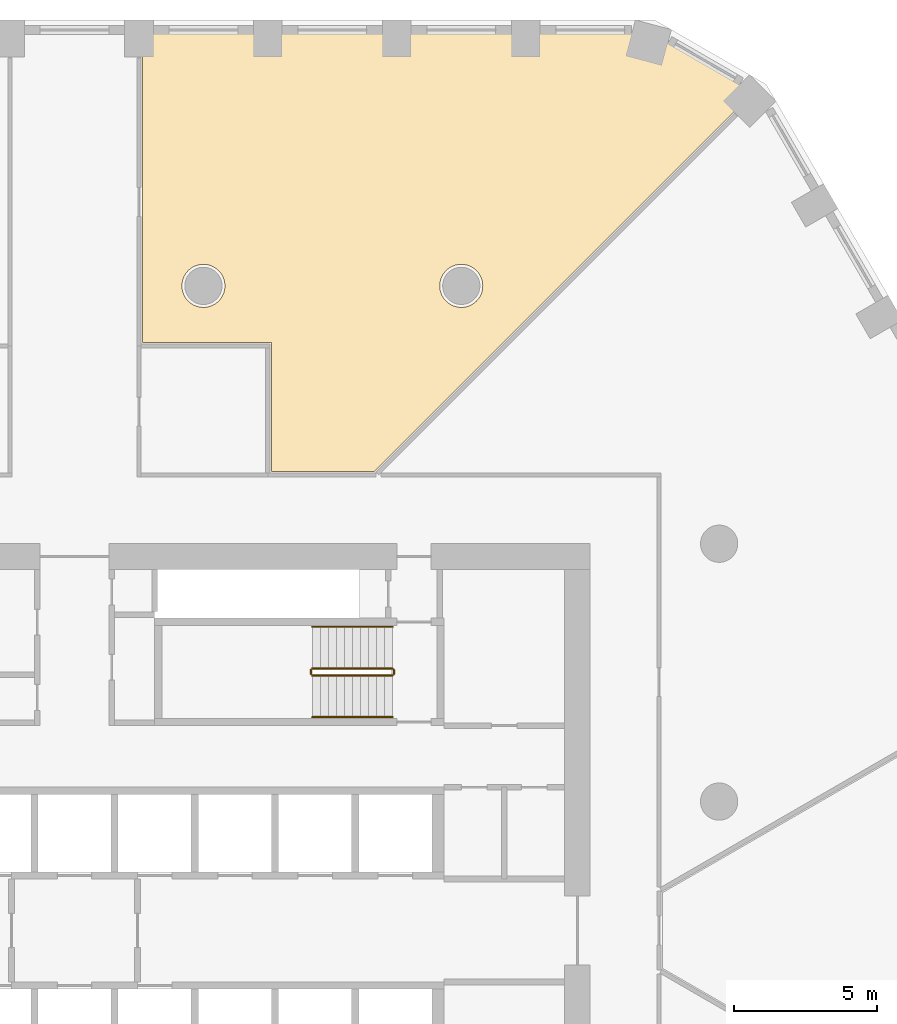
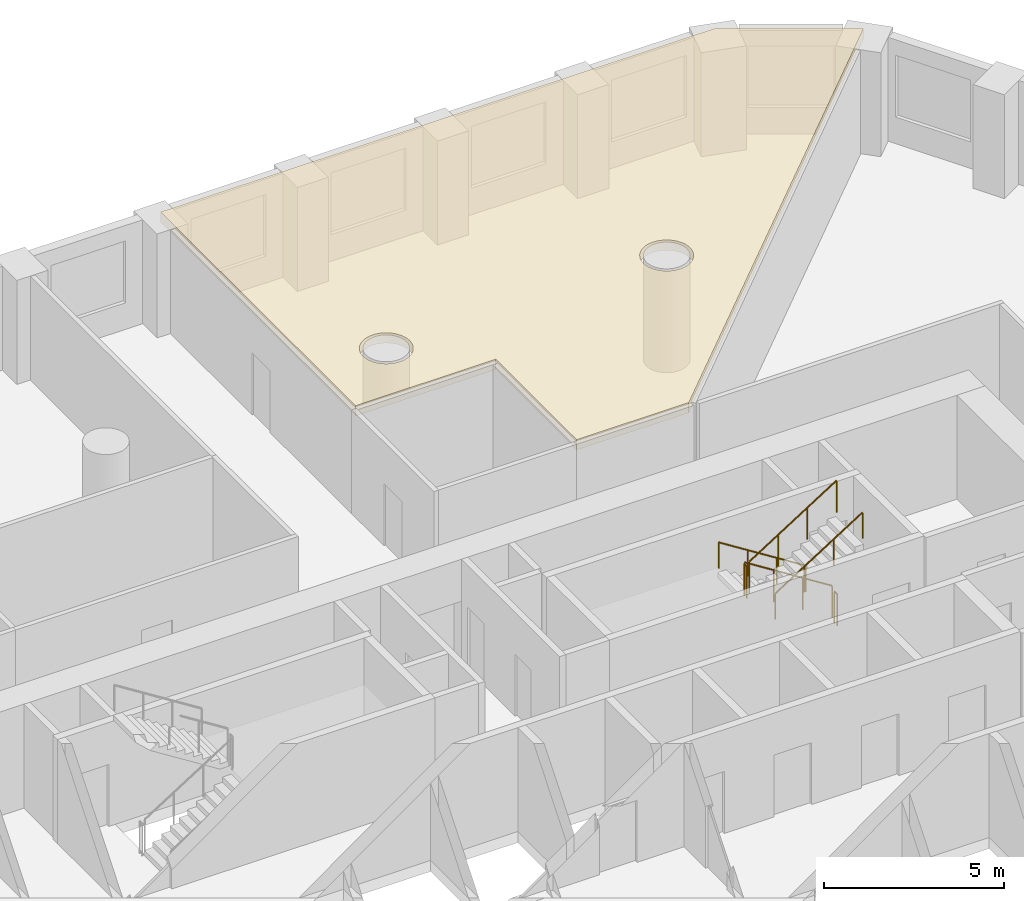
# One storey, part 13 of 14: 6 railings, 1 covering.
"""IFC4 building model written with IfcOpenShell, lengths in metres."""

from ifc_helpers import new_model, si_unit, direction, frame, origin, origin_2d, place, context, subcontext, project, spatial, polyline, circle, outline, extrude, material, layer, layer_set, type_object, element, save


model = new_model("IFC4")

# Units and contexts
model_context = context("Model", 3, precision=1e-05, world=origin(), true_north=direction((0.0, 1.0)))
body_context = subcontext(model_context, "Body", "Model", "MODEL_VIEW")
ifc_project = project(units=[si_unit("LENGTHUNIT", "METRE"), si_unit("AREAUNIT", "SQUARE_METRE"), si_unit("VOLUMEUNIT", "CUBIC_METRE"), si_unit("PLANEANGLEUNIT", "RADIAN"), si_unit("MASSUNIT", "GRAM", prefix="KILO")], contexts=[model_context])

# Site, building, storey
site_placement = place(None, origin())
site = spatial("IfcSite", under=ifc_project, at=site_placement, CompositionType="ELEMENT")
building_placement = place(site_placement, origin())
building = spatial("IfcBuilding", under=site, at=building_placement, Name="Dhurran Vertical Campus", CompositionType="ELEMENT")
storey_placement = place(building_placement, frame((0.0, 0.0, 93.0)))
storey = spatial("IfcBuildingStorey", under=building, at=storey_placement, Name="L22", CompositionType="ELEMENT", Elevation=93.0)

# Railings
ifc_material_1 = material(Name="Stainless steel balustrade", Category="steel")
railing_type_1 = type_object("IfcRailingType", Name="co-RL-GUARD-1100", PredefinedType="GUARDRAIL", material=ifc_material_1)
railing_1_placement = place(storey_placement, frame((11.10009765625, 9.14990234375, 0.17724609375)))
element("IfcRailing", 1, at=railing_1_placement, inside=storey, type_object=railing_type_1, Name="L22 ST2 stair guard 1", PredefinedType="GUARDRAIL", context=body_context, shape_type="SweptSolid", body=[
    extrude(circle(Radius=0.02392578125, at=origin_2d()), frame((0.0, 0.0, 1.076171875), z_axis=(-0.844908973607, 0.0, 0.534910110503), x_axis=(0.0, -1.0, 0.0)), (0.0, 0.0, 1.0), 3.31396484375),
    extrude(circle(Radius=0.02099609375, at=origin_2d()), origin(), (0.0, 0.0, 1.0), 1.052001953125),
    extrude(circle(Radius=0.02099609375, at=origin_2d()), frame((-0.933349609375, 0.0, 0.5908203125)), (0.0, 0.0, 1.0), 1.052001953125),
    extrude(circle(Radius=0.02099609375, at=origin_2d()), frame((-1.86669921875, 0.0, 1.181884765625)), (0.0, 0.0, 1.0), 1.052001953125),
    extrude(circle(Radius=0.02099609375, at=origin_2d()), frame((-2.800048828125, 0.0, 1.772705078125)), (0.0, 0.0, 1.0), 1.052001953125),
])
railing_2_placement = place(storey_placement, frame((8.25, 9.10009765625, 1.949951171875)))
element("IfcRailing", 2, at=railing_2_placement, inside=storey, type_object=railing_type_1, Name="L22 ST2 stair guard 2", PredefinedType="GUARDRAIL", context=body_context, shape_type="SweptSolid", body=[
    extrude(circle(Radius=0.02392578125, at=origin_2d()), frame((0.0, 0.0, 1.076171875), z_axis=(0.0, -1.0, 0.0), x_axis=(1.0, 0.0, 0.0)), (0.0, 0.0, 1.0), 0.150146484375),
    extrude(circle(Radius=0.02099609375, at=origin_2d()), origin(), (0.0, 0.0, 1.0), 1.052001953125),
    extrude(circle(Radius=0.02099609375, at=origin_2d()), frame((0.0, -0.150146484375, 0.0)), (0.0, 0.0, 1.0), 1.052001953125),
])
railing_3_placement = place(storey_placement, frame((8.300048828125, 8.89990234375, 2.127197265625)))
element("IfcRailing", 3, at=railing_3_placement, inside=storey, type_object=railing_type_1, Name="L22 ST2 stair guard 3", PredefinedType="GUARDRAIL", context=body_context, shape_type="SweptSolid", body=[
    extrude(circle(Radius=0.02392578125, at=origin_2d()), frame((0.0, 0.0, 1.076171875), z_axis=(0.844908973607, 0.0, 0.534910110503), x_axis=(0.0, 1.0, 0.0)), (0.0, 0.0, 1.0), 3.31396484375),
    extrude(circle(Radius=0.02099609375, at=origin_2d()), origin(), (0.0, 0.0, 1.0), 1.052001953125),
    extrude(circle(Radius=0.02099609375, at=origin_2d()), frame((0.933349609375, 0.0, 0.5908203125)), (0.0, 0.0, 1.0), 1.052001953125),
    extrude(circle(Radius=0.02099609375, at=origin_2d()), frame((1.86669921875, 0.0, 1.181884765625)), (0.0, 0.0, 1.0), 1.052001953125),
    extrude(circle(Radius=0.02099609375, at=origin_2d()), frame((2.800048828125, 0.0, 1.772705078125)), (0.0, 0.0, 1.0), 1.052001953125),
])
railing_4_placement = place(storey_placement, frame((11.14990234375, 9.10009765625, 0.0)))
element("IfcRailing", 4, at=railing_4_placement, inside=storey, type_object=railing_type_1, Name="L22 ST2 stair guard 4", PredefinedType="GUARDRAIL", context=body_context, shape_type="SweptSolid", body=[
    extrude(circle(Radius=0.02392578125, at=origin_2d()), frame((0.0, 0.0, 1.076171875), z_axis=(0.0, -1.0, 0.0), x_axis=(1.0, 0.0, 0.0)), (0.0, 0.0, 1.0), 0.150146484375),
    extrude(circle(Radius=0.02099609375, at=origin_2d()), origin(), (0.0, 0.0, 1.0), 1.052001953125),
    extrude(circle(Radius=0.02099609375, at=origin_2d()), frame((0.0, -0.150146484375, 0.0)), (0.0, 0.0, 1.0), 1.052001953125),
])
ifc_material_2 = material(Name="Stainless steel handrail", Category="steel")
railing_type_2 = type_object("IfcRailingType", Name="co-RL-HANDRAIL-900", PredefinedType="HANDRAIL", material=ifc_material_2)
railing_5_placement = place(storey_placement, frame((11.10009765625, 10.60009765625, 0.17724609375)))
element("IfcRailing", 5, at=railing_5_placement, inside=storey, type_object=railing_type_2, Name="L22 ST2 stair handrail 1", PredefinedType="HANDRAIL", context=body_context, shape_type="SweptSolid", body=[
    extrude(circle(Radius=0.02392578125, at=origin_2d()), frame((0.0, 0.0, 0.8759765625), z_axis=(-0.844908973607, 0.0, 0.534910110503), x_axis=(0.0, -1.0, 0.0)), (0.0, 0.0, 1.0), 3.31396484375),
    extrude(circle(Radius=0.02099609375, at=origin_2d()), origin(), (0.0, 0.0, 1.0), 0.851806640625),
    extrude(circle(Radius=0.02099609375, at=origin_2d()), frame((-0.933349609375, 0.0, 0.5908203125)), (0.0, 0.0, 1.0), 0.851806640625),
    extrude(circle(Radius=0.02099609375, at=origin_2d()), frame((-1.86669921875, 0.0, 1.181884765625)), (0.0, 0.0, 1.0), 0.851806640625),
    extrude(circle(Radius=0.02099609375, at=origin_2d()), frame((-2.800048828125, 0.0, 1.772705078125)), (0.0, 0.0, 1.0), 0.851806640625),
])
railing_6_placement = place(storey_placement, frame((8.300048828125, 7.449951171875, 2.127197265625)))
element("IfcRailing", 6, at=railing_6_placement, inside=storey, type_object=railing_type_2, Name="L22 ST2 stair handrail 2", PredefinedType="HANDRAIL", context=body_context, shape_type="SweptSolid", body=[
    extrude(circle(Radius=0.02392578125, at=origin_2d()), frame((0.0, 0.0, 0.8759765625), z_axis=(0.844908973607, 0.0, 0.534910110503), x_axis=(0.0, 1.0, 0.0)), (0.0, 0.0, 1.0), 3.31396484375),
    extrude(circle(Radius=0.02099609375, at=origin_2d()), origin(), (0.0, 0.0, 1.0), 0.851806640625),
    extrude(circle(Radius=0.02099609375, at=origin_2d()), frame((0.933349609375, 0.0, 0.5908203125)), (0.0, 0.0, 1.0), 0.851806640625),
    extrude(circle(Radius=0.02099609375, at=origin_2d()), frame((1.86669921875, 0.0, 1.181884765625)), (0.0, 0.0, 1.0), 0.851806640625),
    extrude(circle(Radius=0.02099609375, at=origin_2d()), frame((2.800048828125, 0.0, 1.772705078125)), (0.0, 0.0, 1.0), 0.851806640625),
])

# Covering
ifc_material_3 = material(Name="Mineral fibre ceiling tiles on suspended grid")
ifc_layer = layer(ifc_material_3, 0.35009765625)
ifc_layer_set = layer_set([ifc_layer], Name="Mineral fibre ceiling tiles on suspended grid")
covering_type = type_object("IfcCoveringType", Name="fl-CE-350 suspended ceiling", PredefinedType="CEILING", material=ifc_layer_set)
covering_placement = place(storey_placement, frame((0.0, 0.0, 3.175048828125)))
element("IfcCovering", 7, at=covering_placement, inside=storey, type_object=covering_type, Name="Ceiling 22-15", PredefinedType="CEILING", context=body_context, shape_type="SweptSolid", body=[
    extrude(outline(polyline([(10.467041015625, 16.02001953125), (6.8701171875, 16.02001953125), (6.8701171875, 20.52001953125), (2.3701171875, 20.52001953125), (2.3701171875, 31.360107421875), (20.137939453125, 31.360107421875), (23.73193359375, 29.283935546875), (10.467041015625, 16.02001953125)]), holes=[polyline([(5.080078125, 22.97607421875), (5.030029296875, 23.030029296875), (4.97607421875, 23.080078125), (4.9169921875, 23.1240234375), (4.85400390625, 23.160888671875), (4.787109375, 23.193115234375), (4.718017578125, 23.218017578125), (4.64599609375, 23.236083984375), (4.573974609375, 23.24609375), (4.5, 23.25), (4.426025390625, 23.24609375), (4.35400390625, 23.236083984375), (4.281982421875, 23.218017578125), (4.212890625, 23.193115234375), (4.14599609375, 23.160888671875), (4.0830078125, 23.1240234375), (4.02392578125, 23.080078125), (3.969970703125, 23.030029296875), (3.919921875, 22.97607421875), (3.8759765625, 22.9169921875), (3.839111328125, 22.85400390625), (3.806884765625, 22.787109375), (3.781982421875, 22.718017578125), (3.763916015625, 22.64599609375), (3.75390625, 22.573974609375), (3.75, 22.5), (3.75390625, 22.426025390625), (3.763916015625, 22.35400390625), (3.781982421875, 22.281982421875), (3.806884765625, 22.212890625), (3.839111328125, 22.14599609375), (3.8759765625, 22.0830078125), (3.919921875, 22.02392578125), (3.969970703125, 21.969970703125), (4.02392578125, 21.919921875), (4.0830078125, 21.8759765625), (4.14599609375, 21.839111328125), (4.212890625, 21.806884765625), (4.281982421875, 21.781982421875), (4.35400390625, 21.763916015625), (4.426025390625, 21.75390625), (4.5, 21.75), (4.573974609375, 21.75390625), (4.64599609375, 21.763916015625), (4.718017578125, 21.781982421875), (4.787109375, 21.806884765625), (4.85400390625, 21.839111328125), (4.9169921875, 21.8759765625), (4.97607421875, 21.919921875), (5.030029296875, 21.969970703125), (5.080078125, 22.02392578125), (5.1240234375, 22.0830078125), (5.160888671875, 22.14599609375), (5.193115234375, 22.212890625), (5.218017578125, 22.281982421875), (5.236083984375, 22.35400390625), (5.24609375, 22.426025390625), (5.25, 22.5), (5.24609375, 22.573974609375), (5.236083984375, 22.64599609375), (5.218017578125, 22.718017578125), (5.193115234375, 22.787109375), (5.160888671875, 22.85400390625), (5.1240234375, 22.9169921875), (5.080078125, 22.97607421875)]), polyline([(14.160888671875, 22.85400390625), (14.1240234375, 22.9169921875), (14.080078125, 22.97607421875), (14.030029296875, 23.030029296875), (13.97607421875, 23.080078125), (13.9169921875, 23.1240234375), (13.85400390625, 23.160888671875), (13.787109375, 23.193115234375), (13.718017578125, 23.218017578125), (13.64599609375, 23.236083984375), (13.573974609375, 23.24609375), (13.5, 23.25), (13.426025390625, 23.24609375), (13.35400390625, 23.236083984375), (13.281982421875, 23.218017578125), (13.212890625, 23.193115234375), (13.14599609375, 23.160888671875), (13.0830078125, 23.1240234375), (13.02392578125, 23.080078125), (12.969970703125, 23.030029296875), (12.919921875, 22.97607421875), (12.8759765625, 22.9169921875), (12.839111328125, 22.85400390625), (12.806884765625, 22.787109375), (12.781982421875, 22.718017578125), (12.763916015625, 22.64599609375), (12.75390625, 22.573974609375), (12.75, 22.5), (12.75390625, 22.426025390625), (12.763916015625, 22.35400390625), (12.781982421875, 22.281982421875), (12.806884765625, 22.212890625), (12.839111328125, 22.14599609375), (12.8759765625, 22.0830078125), (12.919921875, 22.02392578125), (12.969970703125, 21.969970703125), (13.02392578125, 21.919921875), (13.0830078125, 21.8759765625), (13.14599609375, 21.839111328125), (13.212890625, 21.806884765625), (13.281982421875, 21.781982421875), (13.35400390625, 21.763916015625), (13.426025390625, 21.75390625), (13.5, 21.75), (13.573974609375, 21.75390625), (13.64599609375, 21.763916015625), (13.718017578125, 21.781982421875), (13.787109375, 21.806884765625), (13.85400390625, 21.839111328125), (13.9169921875, 21.8759765625), (13.97607421875, 21.919921875), (14.030029296875, 21.969970703125), (14.080078125, 22.02392578125), (14.1240234375, 22.0830078125), (14.160888671875, 22.14599609375), (14.193115234375, 22.212890625), (14.218017578125, 22.281982421875), (14.236083984375, 22.35400390625), (14.24609375, 22.426025390625), (14.25, 22.5), (14.24609375, 22.573974609375), (14.236083984375, 22.64599609375), (14.218017578125, 22.718017578125), (14.193115234375, 22.787109375), (14.160888671875, 22.85400390625)])]), origin(), (0.0, 0.0, 1.0), 0.349853515625),
])

save(model, "model.ifc")
